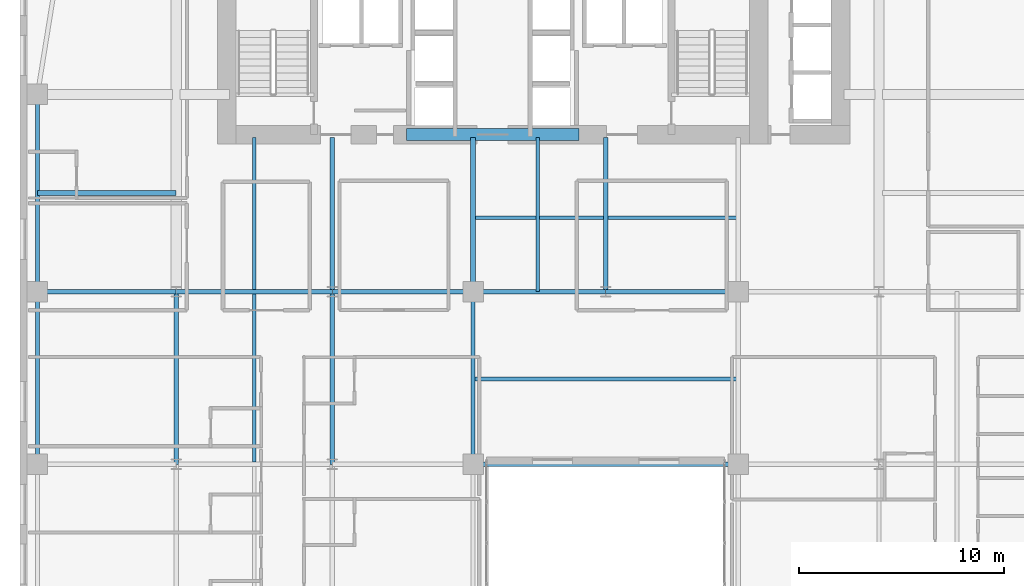
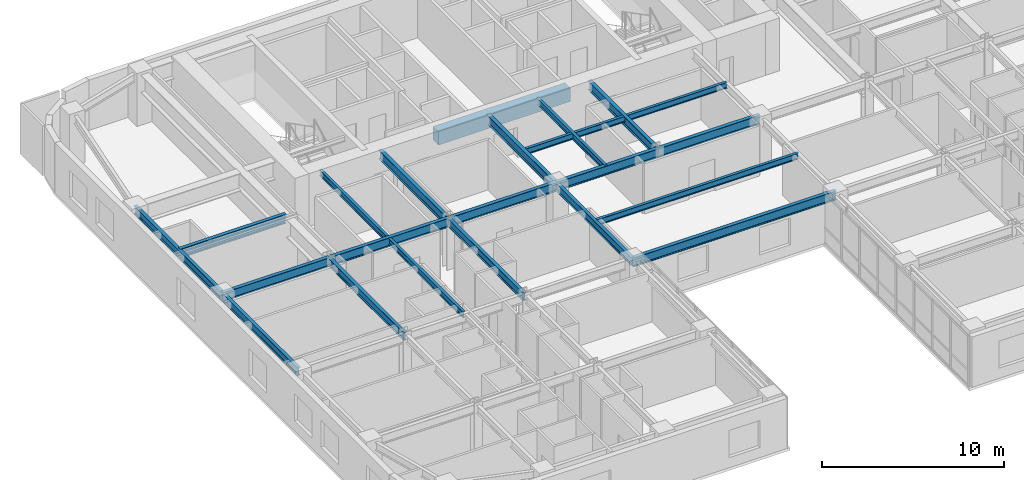
# One storey, part 4 of 17: 21 beams.
"""IFC4 building model written with IfcOpenShell, lengths in metres."""

from ifc_helpers import new_model, si_unit, direction, frame, origin, origin_2d, place, context, subcontext, project, spatial, rectangle, i_section, extrude, source, transform, mapped, material, material_profile, profile_set, type_object, type_shapes, element, save


model = new_model("IFC4")

# Units and contexts
model_context = context("Model", 3, precision=1e-05, world=origin(), true_north=direction((0.0, 1.0)))
body_context = subcontext(model_context, "Body", "Model", "MODEL_VIEW")
ifc_project = project(units=[si_unit("LENGTHUNIT", "METRE"), si_unit("AREAUNIT", "SQUARE_METRE"), si_unit("VOLUMEUNIT", "CUBIC_METRE"), si_unit("PLANEANGLEUNIT", "RADIAN"), si_unit("MASSUNIT", "GRAM", prefix="KILO")], contexts=[model_context])

# Site, building, storey
site_placement = place(None, origin())
site = spatial("IfcSite", under=ifc_project, at=site_placement, CompositionType="ELEMENT")
building_placement = place(site_placement, origin())
building = spatial("IfcBuilding", under=site, at=building_placement, Name="Tolvann Quenvar Hotel", CompositionType="ELEMENT")
storey_placement = place(building_placement, frame((0.0, 0.0, 35.550048828125)))
storey = spatial("IfcBuildingStorey", under=building, at=storey_placement, Name="L07", CompositionType="ELEMENT", Elevation=35.550048828125)

# Beams
ifc_material_1 = material(Name="Concrete N50 (50 MPa)", Category="concrete")
ifc_material_profile_1 = material_profile(ifc_material_1, rectangle(XDim=0.60009765625, YDim=0.89990234375, at=origin_2d()), Name="RC600x900")
ifc_profile_set_1 = profile_set([ifc_material_profile_1], Name="Concrete N50 (50 MPa)")
beam_type_1 = type_object("IfcBeamType", Name="BM_LINT_RC600x900", PredefinedType="LINTEL", material=ifc_profile_set_1)
shared_shape_1 = source(origin(), body_context, "Body", "SweptSolid", [
    extrude(rectangle(XDim=0.60009765625, YDim=0.89990234375, at=origin_2d()), origin(), (0.0, 0.0, 1.0), 8.39990234375),
])
type_shapes(beam_type_1, [shared_shape_1])
beam_1_placement = place(storey_placement, frame((18.800048828125, 32.050048828125, 2.919921875), z_axis=(1.0, 0.0, 0.0), x_axis=(0.0, 1.0, 0.0)))
element("IfcBeam", 1, at=beam_1_placement, inside=storey, type_object=beam_type_1, Name="Core Coupling Lintel Beam (L07)", PredefinedType="LINTEL", context=body_context, shape_type="MappedRepresentation", body=[
    mapped(shared_shape_1, transform((0.0, 0.0, 0.0), x_axis=(1.0, 0.0, 0.0), y_axis=(0.0, 1.0, 0.0), z_axis=(0.0, 0.0, 1.0), scale=1.0)),
])
ifc_material_2 = material(Name="Steel Grade 350", Category="steel")
ifc_material_profile_2 = material_profile(ifc_material_2, i_section(OverallWidth=0.22900390625, OverallDepth=0.612060546875, WebThickness=0.011962890625, FlangeThickness=0.01953125, FilletRadius=0.013916015625, at=origin_2d()), Name="610UB125")
ifc_profile_set_2 = profile_set([ifc_material_profile_2], Name="Steel Grade 350")
beam_type_2 = type_object("IfcBeamType", Name="BM_GIRD_610UB125", PredefinedType="BEAM", material=ifc_profile_set_2)
shared_shape_2 = source(origin(), body_context, "Body", "SweptSolid", [
    extrude(i_section(OverallWidth=0.22900390625, OverallDepth=0.612060546875, WebThickness=0.011962890625, FlangeThickness=0.01953125, FilletRadius=0.013916015625, at=origin_2d()), origin(), (0.0, 0.0, 1.0), 6.75),
])
for number, where, z_axis, x_axis, name in (
    (2, (0.85009765625, 24.39990234375, 3.06396484375), (1.0, 0.0, 0.0), (0.0, 1.0, 0.0), "BM-L07-EW-5-B5-C5"),
    (3, (0.85009765625, 29.199951171875, 3.06396484375), (1.0, 0.0, 0.0), (0.0, 1.0, 0.0), "BM-L07-EW-BC29"),
):
    element("IfcBeam", number, at=place(storey_placement, frame(where, z_axis=z_axis, x_axis=x_axis)), inside=storey, type_object=beam_type_2, Name=name, PredefinedType="BEAM", context=body_context, shape_type="MappedRepresentation", body=[
        mapped(shared_shape_2, transform((0.0, 0.0, 0.0), x_axis=(1.0, 0.0, 0.0), y_axis=(0.0, 1.0, 0.0), z_axis=(0.0, 0.0, 1.0), scale=1.0)),
    ])
shared_shape_3 = source(origin(), body_context, "Body", "SweptSolid", [
    extrude(i_section(OverallWidth=0.22900390625, OverallDepth=0.612060546875, WebThickness=0.011962890625, FlangeThickness=0.01953125, FilletRadius=0.013916015625, at=origin_2d()), origin(), (0.0, 0.0, 1.0), 7.599853515625),
])
beam_2_placement = place(storey_placement, frame((7.60009765625, 24.39990234375, 3.06396484375), z_axis=(1.0, 0.0, 0.0), x_axis=(0.0, 1.0, 0.0)))
element("IfcBeam", 4, at=beam_2_placement, inside=storey, type_object=beam_type_2, Name="BM-L07-EW-5-C5-D5", PredefinedType="BEAM", context=body_context, shape_type="MappedRepresentation", body=[
    mapped(shared_shape_3, transform((0.0, 0.0, 0.0), x_axis=(1.0, 0.0, 0.0), y_axis=(0.0, 1.0, 0.0), z_axis=(0.0, 0.0, 1.0), scale=1.0)),
])
shared_shape_4 = source(origin(), body_context, "Body", "SweptSolid", [
    extrude(i_section(OverallWidth=0.22900390625, OverallDepth=0.612060546875, WebThickness=0.011962890625, FlangeThickness=0.01953125, FilletRadius=0.013916015625, at=origin_2d()), origin(), (0.0, 0.0, 1.0), 6.85009765625),
])
beam_3_placement = place(storey_placement, frame((15.199951171875, 24.39990234375, 3.06396484375), z_axis=(1.0, 0.0, 0.0), x_axis=(0.0, 1.0, 0.0)))
element("IfcBeam", 5, at=beam_3_placement, inside=storey, type_object=beam_type_2, Name="BM-L07-EW-5-D5-E5", PredefinedType="BEAM", context=body_context, shape_type="MappedRepresentation", body=[
    mapped(shared_shape_4, transform((0.0, 0.0, 0.0), x_axis=(1.0, 0.0, 0.0), y_axis=(0.0, 1.0, 0.0), z_axis=(0.0, 0.0, 1.0), scale=1.0)),
])
shared_shape_5 = source(origin(), body_context, "Body", "SweptSolid", [
    extrude(i_section(OverallWidth=0.22900390625, OverallDepth=0.612060546875, WebThickness=0.011962890625, FlangeThickness=0.01953125, FilletRadius=0.013916015625, at=origin_2d()), origin(), (0.0, 0.0, 1.0), 12.89990234375),
])
beam_4_placement = place(storey_placement, frame((22.050048828125, 16.0, 3.06396484375), z_axis=(1.0, 0.0, 0.0), x_axis=(0.0, 1.0, 0.0)))
element("IfcBeam", 6, at=beam_4_placement, inside=storey, type_object=beam_type_2, Name="BM-L07-EW-4-E4-F4", PredefinedType="BEAM", context=body_context, shape_type="MappedRepresentation", body=[
    mapped(shared_shape_5, transform((0.0, 0.0, 0.0), x_axis=(1.0, 0.0, 0.0), y_axis=(0.0, 1.0, 0.0), z_axis=(0.0, 0.0, 1.0), scale=1.0)),
])
shared_shape_6 = source(origin(), body_context, "Body", "SweptSolid", [
    extrude(i_section(OverallWidth=0.22900390625, OverallDepth=0.612060546875, WebThickness=0.011962890625, FlangeThickness=0.01953125, FilletRadius=0.013916015625, at=origin_2d()), origin(), (0.0, 0.0, 1.0), 6.449951171875),
])
for number, where, z_axis, x_axis, name in (
    (7, (22.050048828125, 24.39990234375, 3.06396484375), (1.0, 0.0, 0.0), (0.0, 1.0, 0.0), "BM-L07-EW-5-E5-M5"),
    (8, (28.5, 24.39990234375, 3.06396484375), (1.0, 0.0, 0.0), (0.0, 1.0, 0.0), "BM-L07-EW-5-M5-F5"),
):
    element("IfcBeam", number, at=place(storey_placement, frame(where, z_axis=z_axis, x_axis=x_axis)), inside=storey, type_object=beam_type_2, Name=name, PredefinedType="BEAM", context=body_context, shape_type="MappedRepresentation", body=[
        mapped(shared_shape_6, transform((0.0, 0.0, 0.0), x_axis=(1.0, 0.0, 0.0), y_axis=(0.0, 1.0, 0.0), z_axis=(0.0, 0.0, 1.0), scale=1.0)),
    ])
ifc_material_profile_3 = material_profile(ifc_material_2, i_section(OverallWidth=0.208984375, OverallDepth=0.528076171875, WebThickness=0.009521484375, FlangeThickness=0.01318359375, FilletRadius=0.013916015625, at=origin_2d()), Name="530UB82")
ifc_profile_set_3 = profile_set([ifc_material_profile_3], Name="Steel Grade 350")
beam_type_3 = type_object("IfcBeamType", Name="BM_SPAND_530UB82", PredefinedType="SPANDREL", material=ifc_profile_set_3)
shared_shape_7 = source(origin(), body_context, "Body", "SweptSolid", [
    extrude(i_section(OverallWidth=0.208984375, OverallDepth=0.528076171875, WebThickness=0.009521484375, FlangeThickness=0.01318359375, FilletRadius=0.013916015625, at=origin_2d()), origin(), (0.0, 0.0, 1.0), 8.39990234375),
])
beam_5_placement = place(storey_placement, frame((0.85009765625, 16.0, 3.10595703125), z_axis=(0.0, 1.0, 0.0), x_axis=(-1.0, 0.0, 0.0)))
element("IfcBeam", 9, at=beam_5_placement, inside=storey, type_object=beam_type_3, Name="BM-L07-NS-B4-B5", PredefinedType="SPANDREL", context=body_context, shape_type="MappedRepresentation", body=[
    mapped(shared_shape_7, transform((0.0, 0.0, 0.0), x_axis=(1.0, 0.0, 0.0), y_axis=(0.0, 1.0, 0.0), z_axis=(0.0, 0.0, 1.0), scale=1.0)),
])
ifc_material_profile_4 = material_profile(ifc_material_2, i_section(OverallWidth=0.208984375, OverallDepth=0.532958984375, WebThickness=0.01025390625, FlangeThickness=0.015625, FilletRadius=0.013916015625, at=origin_2d()), Name="530UB92")
ifc_profile_set_4 = profile_set([ifc_material_profile_4], Name="Steel Grade 350")
beam_type_4 = type_object("IfcBeamType", Name="BM_GIRD_530UB92", PredefinedType="BEAM", material=ifc_profile_set_4)
shared_shape_8 = source(origin(), body_context, "Body", "SweptSolid", [
    extrude(i_section(OverallWidth=0.208984375, OverallDepth=0.532958984375, WebThickness=0.01025390625, FlangeThickness=0.015625, FilletRadius=0.013916015625, at=origin_2d()), origin(), (0.0, 0.0, 1.0), 8.39990234375),
])
type_shapes(beam_type_4, [shared_shape_8])
for number, where, z_axis, x_axis, name in (
    (10, (7.60009765625, 16.0, 3.103515625), (0.0, 1.0, 0.0), (-1.0, 0.0, 0.0), "BM-L07-NS-C4-C5"),
    (11, (15.199951171875, 16.0, 3.103515625), (0.0, 1.0, 0.0), (-1.0, 0.0, 0.0), "BM-L07-NS-D4-D5"),
    (12, (22.050048828125, 16.0, 3.103515625), (0.0, 1.0, 0.0), (-1.0, 0.0, 0.0), "BM-L07-NS-E4-E5"),
):
    element("IfcBeam", number, at=place(storey_placement, frame(where, z_axis=z_axis, x_axis=x_axis)), inside=storey, type_object=beam_type_4, Name=name, PredefinedType="BEAM", context=body_context, shape_type="MappedRepresentation", body=[
        mapped(shared_shape_8, transform((0.0, 0.0, 0.0), x_axis=(1.0, 0.0, 0.0), y_axis=(0.0, 1.0, 0.0), z_axis=(0.0, 0.0, 1.0), scale=1.0)),
    ])
shared_shape_9 = source(origin(), body_context, "Body", "SweptSolid", [
    extrude(i_section(OverallWidth=0.22900390625, OverallDepth=0.612060546875, WebThickness=0.011962890625, FlangeThickness=0.01953125, FilletRadius=0.013916015625, at=origin_2d()), origin(), (0.0, 0.0, 1.0), 7.5),
])
type_shapes(beam_type_2, [shared_shape_2, shared_shape_3, shared_shape_4, shared_shape_5, shared_shape_6, shared_shape_9])
for number, where, z_axis, x_axis, name in (
    (13, (15.199951171875, 24.39990234375, 3.06396484375), (0.0, 1.0, 0.0), (-1.0, 0.0, 0.0), "BM-L07-CORE-D5"),
    (14, (22.050048828125, 24.39990234375, 3.06396484375), (0.0, 1.0, 0.0), (-1.0, 0.0, 0.0), "BM-L07-CORE-E5"),
    (15, (28.5, 24.39990234375, 3.06396484375), (0.0, 1.0, 0.0), (-1.0, 0.0, 0.0), "BM-L07-CORE-M5"),
):
    element("IfcBeam", number, at=place(storey_placement, frame(where, z_axis=z_axis, x_axis=x_axis)), inside=storey, type_object=beam_type_2, Name=name, PredefinedType="BEAM", context=body_context, shape_type="MappedRepresentation", body=[
        mapped(shared_shape_9, transform((0.0, 0.0, 0.0), x_axis=(1.0, 0.0, 0.0), y_axis=(0.0, 1.0, 0.0), z_axis=(0.0, 0.0, 1.0), scale=1.0)),
    ])
shared_shape_10 = source(origin(), body_context, "Body", "SweptSolid", [
    extrude(i_section(OverallWidth=0.208984375, OverallDepth=0.528076171875, WebThickness=0.009521484375, FlangeThickness=0.01318359375, FilletRadius=0.013916015625, at=origin_2d()), origin(), (0.0, 0.0, 1.0), 9.60009765625),
])
type_shapes(beam_type_3, [shared_shape_7, shared_shape_10])
beam_6_placement = place(storey_placement, frame((0.85009765625, 24.39990234375, 3.10595703125), z_axis=(0.0, 1.0, 0.0), x_axis=(-1.0, 0.0, 0.0)))
element("IfcBeam", 16, at=beam_6_placement, inside=storey, type_object=beam_type_3, Name="BM-L07-FLK-W1", PredefinedType="SPANDREL", context=body_context, shape_type="MappedRepresentation", body=[
    mapped(shared_shape_10, transform((0.0, 0.0, 0.0), x_axis=(1.0, 0.0, 0.0), y_axis=(0.0, 1.0, 0.0), z_axis=(0.0, 0.0, 1.0), scale=1.0)),
])
ifc_material_profile_5 = material_profile(ifc_material_2, i_section(OverallWidth=0.177978515625, OverallDepth=0.406005859375, WebThickness=0.0078125, FlangeThickness=0.0126953125, FilletRadius=0.011474609375, at=origin_2d()), Name="410UB60")
ifc_profile_set_5 = profile_set([ifc_material_profile_5], Name="Steel Grade 350")
beam_type_5 = type_object("IfcBeamType", Name="BM_JOIST_410UB60", PredefinedType="JOIST", material=ifc_profile_set_5)
shared_shape_11 = source(origin(), body_context, "Body", "SweptSolid", [
    extrude(i_section(OverallWidth=0.177978515625, OverallDepth=0.406005859375, WebThickness=0.0078125, FlangeThickness=0.0126953125, FilletRadius=0.011474609375, at=origin_2d()), origin(), (0.0, 0.0, 1.0), 12.89990234375),
])
for number, where, z_axis, x_axis, name in (
    (17, (22.050048828125, 20.14990234375, 3.1669921875), (1.0, 0.0, 0.0), (0.0, 1.0, 0.0), "BM-L07-SPINE-20"),
    (18, (22.050048828125, 28.0, 3.1669921875), (1.0, 0.0, 0.0), (0.0, 1.0, 0.0), "BM-L07-SPINE-28"),
):
    element("IfcBeam", number, at=place(storey_placement, frame(where, z_axis=z_axis, x_axis=x_axis)), inside=storey, type_object=beam_type_5, Name=name, PredefinedType="JOIST", context=body_context, shape_type="MappedRepresentation", body=[
        mapped(shared_shape_11, transform((0.0, 0.0, 0.0), x_axis=(1.0, 0.0, 0.0), y_axis=(0.0, 1.0, 0.0), z_axis=(0.0, 0.0, 1.0), scale=1.0)),
    ])
shared_shape_12 = source(origin(), body_context, "Body", "SweptSolid", [
    extrude(i_section(OverallWidth=0.177978515625, OverallDepth=0.406005859375, WebThickness=0.0078125, FlangeThickness=0.0126953125, FilletRadius=0.011474609375, at=origin_2d()), origin(), (0.0, 0.0, 1.0), 8.18310546875),
])
beam_7_placement = place(storey_placement, frame((11.39990234375, 16.1083984375, 3.1669921875), z_axis=(0.0, 1.0, 0.0), x_axis=(-1.0, 0.0, 0.0)))
element("IfcBeam", 19, at=beam_7_placement, inside=storey, type_object=beam_type_5, Name="BJ-L07-114-160", PredefinedType="JOIST", context=body_context, shape_type="MappedRepresentation", body=[
    mapped(shared_shape_12, transform((0.0, 0.0, 0.0), x_axis=(1.0, 0.0, 0.0), y_axis=(0.0, 1.0, 0.0), z_axis=(0.0, 0.0, 1.0), scale=1.0)),
])
shared_shape_13 = source(origin(), body_context, "Body", "SweptSolid", [
    extrude(i_section(OverallWidth=0.177978515625, OverallDepth=0.406005859375, WebThickness=0.0078125, FlangeThickness=0.0126953125, FilletRadius=0.011474609375, at=origin_2d()), origin(), (0.0, 0.0, 1.0), 7.391357421875),
])
beam_8_placement = place(storey_placement, frame((11.39990234375, 24.508544921875, 3.1669921875), z_axis=(0.0, 1.0, 0.0), x_axis=(-1.0, 0.0, 0.0)))
element("IfcBeam", 20, at=beam_8_placement, inside=storey, type_object=beam_type_5, Name="BJ-L07-114-244", PredefinedType="JOIST", context=body_context, shape_type="MappedRepresentation", body=[
    mapped(shared_shape_13, transform((0.0, 0.0, 0.0), x_axis=(1.0, 0.0, 0.0), y_axis=(0.0, 1.0, 0.0), z_axis=(0.0, 0.0, 1.0), scale=1.0)),
])
shared_shape_14 = source(origin(), body_context, "Body", "SweptSolid", [
    extrude(i_section(OverallWidth=0.177978515625, OverallDepth=0.406005859375, WebThickness=0.0078125, FlangeThickness=0.0126953125, FilletRadius=0.011474609375, at=origin_2d()), origin(), (0.0, 0.0, 1.0), 7.5),
])
type_shapes(beam_type_5, [shared_shape_11, shared_shape_12, shared_shape_13, shared_shape_14])
beam_9_placement = place(storey_placement, frame((25.199951171875, 24.39990234375, 3.1669921875), z_axis=(0.0, 1.0, 0.0), x_axis=(-1.0, 0.0, 0.0)))
element("IfcBeam", 21, at=beam_9_placement, inside=storey, type_object=beam_type_5, Name="BJ-L07-252-244", PredefinedType="JOIST", context=body_context, shape_type="MappedRepresentation", body=[
    mapped(shared_shape_14, transform((0.0, 0.0, 0.0), x_axis=(1.0, 0.0, 0.0), y_axis=(0.0, 1.0, 0.0), z_axis=(0.0, 0.0, 1.0), scale=1.0)),
])

save(model, "model.ifc")
